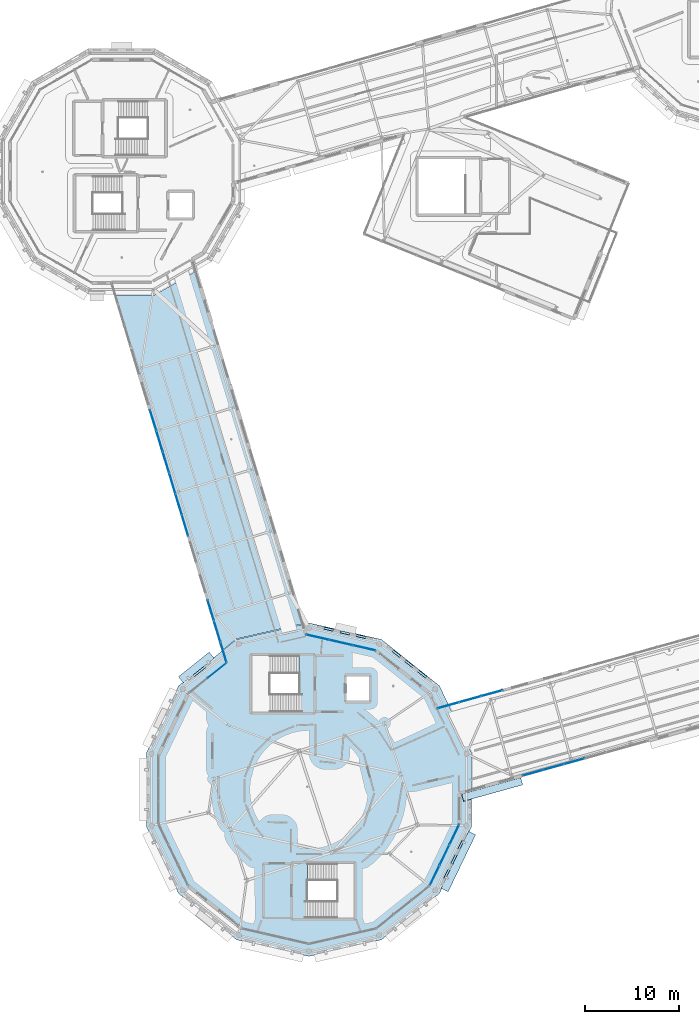
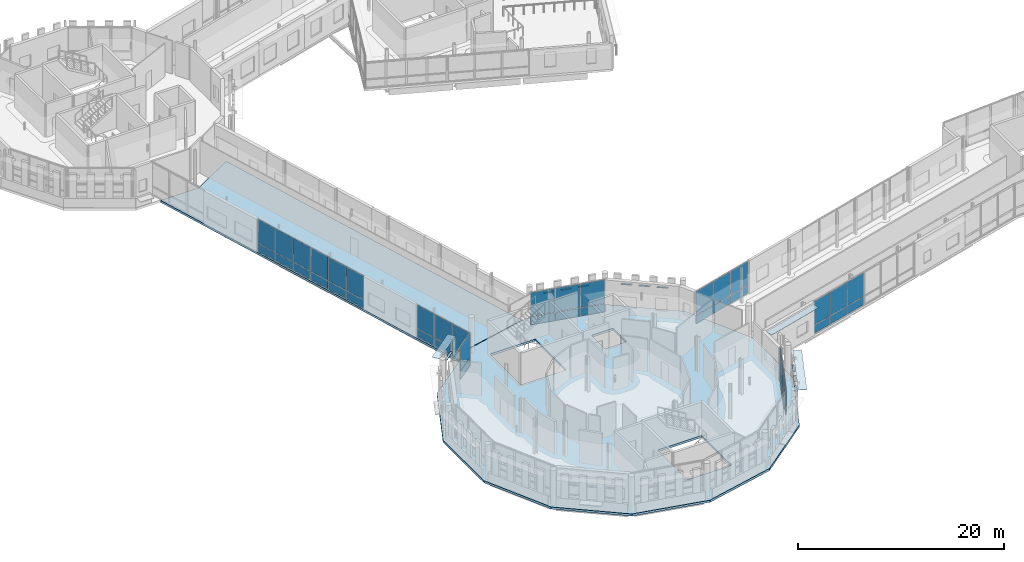
# One storey, part 71 of 125: 56 plates, 2 slabs, 8 elements without a shape of their own.
"""IFC4 building model written with IfcOpenShell, lengths in metres."""

from ifc_helpers import new_model, si_unit, direction, frame, origin, origin_2d, place, context, subcontext, project, spatial, polyline, rectangle, outline, extrude, material, layer, layer_set, type_object, element, aggregate, save


model = new_model("IFC4")

# Units and contexts
model_context = context("Model", 3, precision=1e-05, world=origin(), true_north=direction((0.0, 1.0)))
body_context = subcontext(model_context, "Body", "Model", "MODEL_VIEW")
ifc_project = project(units=[si_unit("LENGTHUNIT", "METRE"), si_unit("AREAUNIT", "SQUARE_METRE"), si_unit("VOLUMEUNIT", "CUBIC_METRE"), si_unit("PLANEANGLEUNIT", "RADIAN"), si_unit("MASSUNIT", "GRAM", prefix="KILO")], contexts=[model_context])

# Site, building, storey
site_placement = place(None, origin())
site = spatial("IfcSite", under=ifc_project, at=site_placement, CompositionType="ELEMENT")
building_placement = place(site_placement, origin())
building = spatial("IfcBuilding", under=site, at=building_placement, Name="Wrenclough Park School", CompositionType="ELEMENT")
storey_placement = place(building_placement, frame((0.0, 0.0, 4.199951171875)))
storey = spatial("IfcBuildingStorey", under=building, at=storey_placement, Name="L01", CompositionType="ELEMENT", Elevation=4.199951171875)

# Curtain wall, plates
ifc_material_1 = material(Name="Thermally broken aluminium and low-e glass curtain wall", Category="aluminium")
curtain_wall_type_1 = type_object("IfcCurtainWallType", Name="ENV-CW-09", PredefinedType="USERDEFINED", material=ifc_material_1)
curtain_wall_1_placement = place(storey_placement, origin())
curtain_wall_1 = element("IfcCurtainWall", 1, at=curtain_wall_1_placement, inside=storey, type_object=curtain_wall_type_1, Name="L01 recessed curtain wall assembly 088", ObjectType="CURTAIN WALL", PredefinedType="USERDEFINED")
ifc_material_2 = material(Name="Double-glazed solar-control low-e glass", Category="glass")
ifc_layer_1 = layer(ifc_material_2, 0.02587890625)
ifc_layer_set_1 = layer_set([ifc_layer_1], Name="Double-glazed solar-control low-e glass")
plate_type_1 = type_object("IfcPlateType", Name="ENV-CWP-GL26", PredefinedType="CURTAIN_PANEL", material=ifc_layer_set_1)
plate_1_placement = place(storey_placement, frame((26.6767578125, 36.212646484375, 0.06494140625), z_axis=(0.0, 0.0, 1.0), x_axis=(0.781848493934, 0.623468469558, 0.0)))
plate_1 = element("IfcPlate", 2, at=plate_1_placement, type_object=plate_type_1, Name="CW-09 panel 2.1", PredefinedType="CURTAIN_PANEL", context=body_context, shape_type="SweptSolid", body=[
    extrude(rectangle(XDim=2.51904296875, YDim=0.02587890625, at=origin_2d()), origin(), (0.0, 0.0, 1.0), 0.952392578125),
])
plate_2_placement = place(storey_placement, frame((26.6767578125, 36.212646484375, 1.08251953125), z_axis=(0.0, 0.0, 1.0), x_axis=(0.781848493934, 0.623468469558, 0.0)))
plate_2 = element("IfcPlate", 3, at=plate_2_placement, type_object=plate_type_1, Name="CW-09 panel 2.2", PredefinedType="CURTAIN_PANEL", context=body_context, shape_type="SweptSolid", body=[
    extrude(rectangle(XDim=2.51904296875, YDim=0.02587890625, at=origin_2d()), origin(), (0.0, 0.0, 1.0), 2.79248046875),
])
aggregate(curtain_wall_1, [plate_1, plate_2])

curtain_wall_type_2 = type_object("IfcCurtainWallType", Name="ENV-CW-10", PredefinedType="USERDEFINED", material=ifc_material_1)
curtain_wall_2_placement = place(storey_placement, origin())
curtain_wall_2 = element("IfcCurtainWall", 4, at=curtain_wall_2_placement, inside=storey, type_object=curtain_wall_type_2, Name="L01 recessed curtain wall assembly 089", ObjectType="CURTAIN WALL", PredefinedType="USERDEFINED")
ifc_material_3 = material(Name="Double-glazed acoustic low-e glass", Category="glass")
ifc_layer_2 = layer(ifc_material_3, 0.030029296875)
ifc_layer_set_2 = layer_set([ifc_layer_2], Name="Double-glazed acoustic low-e glass")
plate_type_2 = type_object("IfcPlateType", Name="ENV-CWP-GL30", PredefinedType="CURTAIN_PANEL", material=ifc_layer_set_2)
plate_3_placement = place(storey_placement, frame((27.3681640625, 38.186767578125, 0.06982421875), z_axis=(0.0, 0.0, 1.0), x_axis=(-0.289988117032, 0.957030246116, 0.0)))
plate_3 = element("IfcPlate", 5, at=plate_3_placement, type_object=plate_type_2, Name="CW-10 panel 1.1", PredefinedType="CURTAIN_PANEL", context=body_context, shape_type="SweptSolid", body=[
    extrude(rectangle(XDim=2.24658203125, YDim=0.030029296875, at=origin_2d()), origin(), (0.0, 0.0, 1.0), 0.945068359375),
])
plate_4_placement = place(storey_placement, frame((27.3681640625, 38.186767578125, 1.0849609375), z_axis=(0.0, 0.0, 1.0), x_axis=(-0.289988117032, 0.957030246116, 0.0)))
plate_4 = element("IfcPlate", 6, at=plate_4_placement, type_object=plate_type_2, Name="CW-10 panel 1.2", PredefinedType="CURTAIN_PANEL", context=body_context, shape_type="SweptSolid", body=[
    extrude(rectangle(XDim=2.24658203125, YDim=0.030029296875, at=origin_2d()), origin(), (0.0, 0.0, 1.0), 2.784912109375),
])
plate_5_placement = place(storey_placement, frame((26.69140625, 40.42041015625, 0.06982421875), z_axis=(0.0, 0.0, 1.0), x_axis=(-0.289988117032, 0.957030246116, 0.0)))
plate_5 = element("IfcPlate", 7, at=plate_5_placement, type_object=plate_type_2, Name="CW-10 panel 2.1", PredefinedType="CURTAIN_PANEL", context=body_context, shape_type="SweptSolid", body=[
    extrude(rectangle(XDim=2.281494140625, YDim=0.030029296875, at=origin_2d()), origin(), (0.0, 0.0, 1.0), 0.945068359375),
])
plate_6_placement = place(storey_placement, frame((26.69140625, 40.42041015625, 1.0849609375), z_axis=(0.0, 0.0, 1.0), x_axis=(-0.289988117032, 0.957030246116, 0.0)))
plate_6 = element("IfcPlate", 8, at=plate_6_placement, type_object=plate_type_2, Name="CW-10 panel 2.2", PredefinedType="CURTAIN_PANEL", context=body_context, shape_type="SweptSolid", body=[
    extrude(rectangle(XDim=2.281494140625, YDim=0.030029296875, at=origin_2d()), origin(), (0.0, 0.0, 1.0), 2.784912109375),
])
plate_7_placement = place(storey_placement, frame((26.0146484375, 42.654052734375, 0.06982421875), z_axis=(0.0, 0.0, 1.0), x_axis=(-0.289988117032, 0.957030246116, 0.0)))
plate_7 = element("IfcPlate", 9, at=plate_7_placement, type_object=plate_type_2, Name="CW-10 panel 3.1", PredefinedType="CURTAIN_PANEL", context=body_context, shape_type="SweptSolid", body=[
    extrude(rectangle(XDim=2.24658203125, YDim=0.030029296875, at=origin_2d()), origin(), (0.0, 0.0, 1.0), 0.945068359375),
])
plate_8_placement = place(storey_placement, frame((26.0146484375, 42.654052734375, 1.0849609375), z_axis=(0.0, 0.0, 1.0), x_axis=(-0.289988117032, 0.957030246116, 0.0)))
plate_8 = element("IfcPlate", 10, at=plate_8_placement, type_object=plate_type_2, Name="CW-10 panel 3.2", PredefinedType="CURTAIN_PANEL", context=body_context, shape_type="SweptSolid", body=[
    extrude(rectangle(XDim=2.24658203125, YDim=0.030029296875, at=origin_2d()), origin(), (0.0, 0.0, 1.0), 2.784912109375),
])
aggregate(curtain_wall_2, [plate_3, plate_4, plate_5, plate_6, plate_7, plate_8])

curtain_wall_type_3 = type_object("IfcCurtainWallType", Name="ENV-CW-11", PredefinedType="USERDEFINED", material=ifc_material_1)
curtain_wall_3_placement = place(storey_placement, origin())
curtain_wall_3 = element("IfcCurtainWall", 11, at=curtain_wall_3_placement, inside=storey, type_object=curtain_wall_type_3, Name="L01 recessed curtain wall assembly 090", ObjectType="CURTAIN WALL", PredefinedType="USERDEFINED")
ifc_material_4 = material(Name="Triple-glazed senior-lab low-e glass", Category="glass")
ifc_layer_3 = layer(ifc_material_4, 0.033935546875)
ifc_layer_set_3 = layer_set([ifc_layer_3], Name="Triple-glazed senior-lab low-e glass")
plate_type_3 = type_object("IfcPlateType", Name="ENV-CWP-GL34", PredefinedType="CURTAIN_PANEL", material=ifc_layer_set_3)
plate_9_placement = place(storey_placement, frame((23.272705078125, 51.7021484375, 0.06005859375), z_axis=(0.0, 0.0, 1.0), x_axis=(-0.289992051165, 0.957029054032, 0.0)))
plate_9 = element("IfcPlate", 12, at=plate_9_placement, type_object=plate_type_3, Name="CW-11 panel 1.1", PredefinedType="CURTAIN_PANEL", context=body_context, shape_type="SweptSolid", body=[
    extrude(rectangle(XDim=2.261474609375, YDim=0.033935546875, at=origin_2d()), origin(), (0.0, 0.0, 1.0), 0.9599609375),
])
plate_10_placement = place(storey_placement, frame((23.272705078125, 51.7021484375, 1.080078125), z_axis=(0.0, 0.0, 1.0), x_axis=(-0.289992051165, 0.957029054032, 0.0)))
plate_10 = element("IfcPlate", 13, at=plate_10_placement, type_object=plate_type_3, Name="CW-11 panel 1.2", PredefinedType="CURTAIN_PANEL", context=body_context, shape_type="SweptSolid", body=[
    extrude(rectangle(XDim=2.261474609375, YDim=0.033935546875, at=origin_2d()), origin(), (0.0, 0.0, 1.0), 2.800048828125),
])
plate_11_placement = place(storey_placement, frame((22.59521484375, 53.93798828125, 0.06005859375), z_axis=(0.0, 0.0, 1.0), x_axis=(-0.289992051165, 0.957029054032, 0.0)))
plate_11 = element("IfcPlate", 14, at=plate_11_placement, type_object=plate_type_3, Name="CW-11 panel 2.1", PredefinedType="CURTAIN_PANEL", context=body_context, shape_type="SweptSolid", body=[
    extrude(rectangle(XDim=2.29150390625, YDim=0.033935546875, at=origin_2d()), origin(), (0.0, 0.0, 1.0), 0.9599609375),
])
plate_12_placement = place(storey_placement, frame((22.59521484375, 53.93798828125, 1.080078125), z_axis=(0.0, 0.0, 1.0), x_axis=(-0.289992051165, 0.957029054032, 0.0)))
plate_12 = element("IfcPlate", 15, at=plate_12_placement, type_object=plate_type_3, Name="CW-11 panel 2.2", PredefinedType="CURTAIN_PANEL", context=body_context, shape_type="SweptSolid", body=[
    extrude(rectangle(XDim=2.29150390625, YDim=0.033935546875, at=origin_2d()), origin(), (0.0, 0.0, 1.0), 2.800048828125),
])
plate_13_placement = place(storey_placement, frame((21.91748046875, 56.174072265625, 0.06005859375), z_axis=(0.0, 0.0, 1.0), x_axis=(-0.289992051165, 0.957029054032, 0.0)))
plate_13 = element("IfcPlate", 16, at=plate_13_placement, type_object=plate_type_3, Name="CW-11 panel 3.1", PredefinedType="CURTAIN_PANEL", context=body_context, shape_type="SweptSolid", body=[
    extrude(rectangle(XDim=2.261474609375, YDim=0.033935546875, at=origin_2d()), origin(), (0.0, 0.0, 1.0), 0.9599609375),
])
plate_14_placement = place(storey_placement, frame((21.91748046875, 56.174072265625, 1.080078125), z_axis=(0.0, 0.0, 1.0), x_axis=(-0.289992051165, 0.957029054032, 0.0)))
plate_14 = element("IfcPlate", 17, at=plate_14_placement, type_object=plate_type_3, Name="CW-11 panel 3.2", PredefinedType="CURTAIN_PANEL", context=body_context, shape_type="SweptSolid", body=[
    extrude(rectangle(XDim=2.261474609375, YDim=0.033935546875, at=origin_2d()), origin(), (0.0, 0.0, 1.0), 2.800048828125),
])
aggregate(curtain_wall_3, [plate_9, plate_10, plate_11, plate_12, plate_13, plate_14])

curtain_wall_4_placement = place(storey_placement, origin())
curtain_wall_4 = element("IfcCurtainWall", 18, at=curtain_wall_4_placement, inside=storey, type_object=curtain_wall_type_3, Name="L01 recessed curtain wall assembly 138", ObjectType="CURTAIN WALL", PredefinedType="USERDEFINED")
plate_15_placement = place(storey_placement, frame((64.822021484375, 26.523193359375, 0.06005859375), z_axis=(0.0, 0.0, 1.0), x_axis=(-0.963399766486, -0.268068815671, 0.0)))
plate_15 = element("IfcPlate", 19, at=plate_15_placement, type_object=plate_type_3, Name="CW-11 panel 1.1", PredefinedType="CURTAIN_PANEL", context=body_context, shape_type="SweptSolid", body=[
    extrude(rectangle(XDim=2.223876953125, YDim=0.033935546875, at=origin_2d()), origin(), (0.0, 0.0, 1.0), 0.9599609375),
])
plate_16_placement = place(storey_placement, frame((64.822021484375, 26.523193359375, 1.080078125), z_axis=(0.0, 0.0, 1.0), x_axis=(-0.963399766486, -0.268068815671, 0.0)))
plate_16 = element("IfcPlate", 20, at=plate_16_placement, type_object=plate_type_3, Name="CW-11 panel 1.2", PredefinedType="CURTAIN_PANEL", context=body_context, shape_type="SweptSolid", body=[
    extrude(rectangle(XDim=2.223876953125, YDim=0.033935546875, at=origin_2d()), origin(), (0.0, 0.0, 1.0), 2.800048828125),
])
plate_17_placement = place(storey_placement, frame((62.607177734375, 25.90673828125, 0.06005859375), z_axis=(0.0, 0.0, 1.0), x_axis=(-0.963399766486, -0.268068815671, 0.0)))
plate_17 = element("IfcPlate", 21, at=plate_17_placement, type_object=plate_type_3, Name="CW-11 panel 2.1", PredefinedType="CURTAIN_PANEL", context=body_context, shape_type="SweptSolid", body=[
    extrude(rectangle(XDim=2.25390625, YDim=0.033935546875, at=origin_2d()), origin(), (0.0, 0.0, 1.0), 0.9599609375),
])
plate_18_placement = place(storey_placement, frame((62.607177734375, 25.90673828125, 1.080078125), z_axis=(0.0, 0.0, 1.0), x_axis=(-0.963399766486, -0.268068815671, 0.0)))
plate_18 = element("IfcPlate", 22, at=plate_18_placement, type_object=plate_type_3, Name="CW-11 panel 2.2", PredefinedType="CURTAIN_PANEL", context=body_context, shape_type="SweptSolid", body=[
    extrude(rectangle(XDim=2.25390625, YDim=0.033935546875, at=origin_2d()), origin(), (0.0, 0.0, 1.0), 2.800048828125),
])
plate_19_placement = place(storey_placement, frame((60.392333984375, 25.29052734375, 0.06005859375), z_axis=(0.0, 0.0, 1.0), x_axis=(-0.963399766486, -0.268068815671, 0.0)))
plate_19 = element("IfcPlate", 23, at=plate_19_placement, type_object=plate_type_3, Name="CW-11 panel 3.1", PredefinedType="CURTAIN_PANEL", context=body_context, shape_type="SweptSolid", body=[
    extrude(rectangle(XDim=2.223876953125, YDim=0.033935546875, at=origin_2d()), origin(), (0.0, 0.0, 1.0), 0.9599609375),
])
plate_20_placement = place(storey_placement, frame((60.392333984375, 25.29052734375, 1.080078125), z_axis=(0.0, 0.0, 1.0), x_axis=(-0.963399766486, -0.268068815671, 0.0)))
plate_20 = element("IfcPlate", 24, at=plate_20_placement, type_object=plate_type_3, Name="CW-11 panel 3.2", PredefinedType="CURTAIN_PANEL", context=body_context, shape_type="SweptSolid", body=[
    extrude(rectangle(XDim=2.223876953125, YDim=0.033935546875, at=origin_2d()), origin(), (0.0, 0.0, 1.0), 2.800048828125),
])
aggregate(curtain_wall_4, [plate_15, plate_16, plate_17, plate_18, plate_19, plate_20])

curtain_wall_type_4 = type_object("IfcCurtainWallType", Name="ENV-CW-12", PredefinedType="USERDEFINED", material=ifc_material_1)
curtain_wall_5_placement = place(storey_placement, origin())
curtain_wall_5 = element("IfcCurtainWall", 25, at=curtain_wall_5_placement, inside=storey, type_object=curtain_wall_type_4, Name="L01 recessed curtain wall assembly 091", ObjectType="CURTAIN WALL", PredefinedType="USERDEFINED")
ifc_material_5 = material(Name="Laminated sports-concourse safety glass", Category="glass")
ifc_layer_4 = layer(ifc_material_5, 0.0380859375)
ifc_layer_set_4 = layer_set([ifc_layer_4], Name="Laminated sports-concourse safety glass")
plate_type_4 = type_object("IfcPlateType", Name="ENV-CWP-GL38", PredefinedType="CURTAIN_PANEL", material=ifc_layer_set_4)
plate_21_placement = place(storey_placement, frame((21.22412109375, 58.462158203125, 0.06494140625), z_axis=(0.0, 0.0, 1.0), x_axis=(-0.289988117032, 0.957030246116, 0.0)))
plate_21 = element("IfcPlate", 26, at=plate_21_placement, type_object=plate_type_4, Name="CW-12 panel 1.1", PredefinedType="CURTAIN_PANEL", context=body_context, shape_type="SweptSolid", body=[
    extrude(rectangle(XDim=2.25390625, YDim=0.0380859375, at=origin_2d()), origin(), (0.0, 0.0, 1.0), 0.952392578125),
])
plate_22_placement = place(storey_placement, frame((21.22412109375, 58.462158203125, 1.08251953125), z_axis=(0.0, 0.0, 1.0), x_axis=(-0.289988117032, 0.957030246116, 0.0)))
plate_22 = element("IfcPlate", 27, at=plate_22_placement, type_object=plate_type_4, Name="CW-12 panel 1.2", PredefinedType="CURTAIN_PANEL", context=body_context, shape_type="SweptSolid", body=[
    extrude(rectangle(XDim=2.25390625, YDim=0.0380859375, at=origin_2d()), origin(), (0.0, 0.0, 1.0), 2.79248046875),
])
plate_23_placement = place(storey_placement, frame((20.547119140625, 60.697021484375, 0.06494140625), z_axis=(0.0, 0.0, 1.0), x_axis=(-0.289988117032, 0.957030246116, 0.0)))
plate_23 = element("IfcPlate", 28, at=plate_23_placement, type_object=plate_type_4, Name="CW-12 panel 2.1", PredefinedType="CURTAIN_PANEL", context=body_context, shape_type="SweptSolid", body=[
    extrude(rectangle(XDim=2.286376953125, YDim=0.0380859375, at=origin_2d()), origin(), (0.0, 0.0, 1.0), 0.952392578125),
])
plate_24_placement = place(storey_placement, frame((20.547119140625, 60.697021484375, 1.08251953125), z_axis=(0.0, 0.0, 1.0), x_axis=(-0.289988117032, 0.957030246116, 0.0)))
plate_24 = element("IfcPlate", 29, at=plate_24_placement, type_object=plate_type_4, Name="CW-12 panel 2.2", PredefinedType="CURTAIN_PANEL", context=body_context, shape_type="SweptSolid", body=[
    extrude(rectangle(XDim=2.286376953125, YDim=0.0380859375, at=origin_2d()), origin(), (0.0, 0.0, 1.0), 2.79248046875),
])
plate_25_placement = place(storey_placement, frame((19.869873046875, 62.931884765625, 0.06494140625), z_axis=(0.0, 0.0, 1.0), x_axis=(-0.289988117032, 0.957030246116, 0.0)))
plate_25 = element("IfcPlate", 30, at=plate_25_placement, type_object=plate_type_4, Name="CW-12 panel 3.1", PredefinedType="CURTAIN_PANEL", context=body_context, shape_type="SweptSolid", body=[
    extrude(rectangle(XDim=2.25390625, YDim=0.0380859375, at=origin_2d()), origin(), (0.0, 0.0, 1.0), 0.952392578125),
])
plate_26_placement = place(storey_placement, frame((19.869873046875, 62.931884765625, 1.08251953125), z_axis=(0.0, 0.0, 1.0), x_axis=(-0.289988117032, 0.957030246116, 0.0)))
plate_26 = element("IfcPlate", 31, at=plate_26_placement, type_object=plate_type_4, Name="CW-12 panel 3.2", PredefinedType="CURTAIN_PANEL", context=body_context, shape_type="SweptSolid", body=[
    extrude(rectangle(XDim=2.25390625, YDim=0.0380859375, at=origin_2d()), origin(), (0.0, 0.0, 1.0), 2.79248046875),
])
aggregate(curtain_wall_5, [plate_21, plate_22, plate_23, plate_24, plate_25, plate_26])

curtain_wall_6_placement = place(storey_placement, origin())
curtain_wall_6 = element("IfcCurtainWall", 32, at=curtain_wall_6_placement, inside=storey, type_object=curtain_wall_type_4, Name="L01 recessed curtain wall assembly 139", ObjectType="CURTAIN WALL", PredefinedType="USERDEFINED")
plate_27_placement = place(storey_placement, frame((52.025390625, 18.71533203125, 0.06494140625), z_axis=(0.0, 0.0, 1.0), x_axis=(-0.433894837004, -0.900963523358, 0.0)))
plate_27 = element("IfcPlate", 33, at=plate_27_placement, type_object=plate_type_4, Name="CW-12 panel 1.1", PredefinedType="CURTAIN_PANEL", context=body_context, shape_type="SweptSolid", body=[
    extrude(rectangle(XDim=2.34423828125, YDim=0.0380859375, at=origin_2d()), origin(), (0.0, 0.0, 1.0), 0.952392578125),
])
plate_28_placement = place(storey_placement, frame((52.025390625, 18.71533203125, 1.08251953125), z_axis=(0.0, 0.0, 1.0), x_axis=(-0.433894837004, -0.900963523358, 0.0)))
plate_28 = element("IfcPlate", 34, at=plate_28_placement, type_object=plate_type_4, Name="CW-12 panel 1.2", PredefinedType="CURTAIN_PANEL", context=body_context, shape_type="SweptSolid", body=[
    extrude(rectangle(XDim=2.34423828125, YDim=0.0380859375, at=origin_2d()), origin(), (0.0, 0.0, 1.0), 2.79248046875),
])
plate_29_placement = place(storey_placement, frame((50.972900390625, 16.530029296875, 0.06494140625), z_axis=(0.0, 0.0, 1.0), x_axis=(-0.433894837004, -0.900963523358, 0.0)))
plate_29 = element("IfcPlate", 35, at=plate_29_placement, type_object=plate_type_4, Name="CW-12 panel 2.1", PredefinedType="CURTAIN_PANEL", context=body_context, shape_type="SweptSolid", body=[
    extrude(rectangle(XDim=2.376708984375, YDim=0.0380859375, at=origin_2d()), origin(), (0.0, 0.0, 1.0), 0.952392578125),
])
plate_30_placement = place(storey_placement, frame((50.972900390625, 16.530029296875, 1.08251953125), z_axis=(0.0, 0.0, 1.0), x_axis=(-0.433894837004, -0.900963523358, 0.0)))
plate_30 = element("IfcPlate", 36, at=plate_30_placement, type_object=plate_type_4, Name="CW-12 panel 2.2", PredefinedType="CURTAIN_PANEL", context=body_context, shape_type="SweptSolid", body=[
    extrude(rectangle(XDim=2.376708984375, YDim=0.0380859375, at=origin_2d()), origin(), (0.0, 0.0, 1.0), 2.79248046875),
])
plate_31_placement = place(storey_placement, frame((49.920654296875, 14.344970703125, 1.08251953125), z_axis=(0.0, 0.0, 1.0), x_axis=(-0.433894837004, -0.900963523358, 0.0)))
plate_31 = element("IfcPlate", 37, at=plate_31_placement, type_object=plate_type_4, Name="CW-12 panel 3.2", PredefinedType="CURTAIN_PANEL", context=body_context, shape_type="SweptSolid", body=[
    extrude(rectangle(XDim=2.34423828125, YDim=0.0380859375, at=origin_2d()), origin(), (0.0, 0.0, 1.0), 2.79248046875),
])
aggregate(curtain_wall_6, [plate_27, plate_28, plate_29, plate_30, plate_31])

curtain_wall_type_5 = type_object("IfcCurtainWallType", Name="ENV-CW-14", PredefinedType="USERDEFINED", material=ifc_material_1)
curtain_wall_7_placement = place(storey_placement, origin())
curtain_wall_7 = element("IfcCurtainWall", 38, at=curtain_wall_7_placement, inside=storey, type_object=curtain_wall_type_5, Name="L01 recessed curtain wall assembly 141", ObjectType="CURTAIN WALL", PredefinedType="USERDEFINED")
ifc_material_6 = material(Name="Insulated anodised aluminium spandrel panel", Category="aluminium")
ifc_layer_5 = layer(ifc_material_6, 0.0419921875)
ifc_layer_set_5 = layer_set([ifc_layer_5], Name="Insulated anodised aluminium spandrel panel")
plate_type_5 = type_object("IfcPlateType", Name="ENV-CWP-SP42", PredefinedType="CURTAIN_PANEL", material=ifc_layer_set_5)
plate_32_placement = place(storey_placement, frame((37.4296875, 39.7646484375, 0.06005859375), z_axis=(0.0, 0.0, 1.0), x_axis=(0.97492902994, -0.222516036679, 0.0)))
plate_32 = element("IfcPlate", 39, at=plate_32_placement, type_object=plate_type_5, Name="CW-14 panel 1.1", PredefinedType="CURTAIN_PANEL", context=body_context, shape_type="SweptSolid", body=[
    extrude(rectangle(XDim=2.46630859375, YDim=0.0419921875, at=origin_2d()), origin(), (0.0, 0.0, 1.0), 0.9599609375),
])
plate_33_placement = place(storey_placement, frame((37.4296875, 39.7646484375, 1.080078125), z_axis=(0.0, 0.0, 1.0), x_axis=(0.97492902994, -0.222516036679, 0.0)))
plate_33 = element("IfcPlate", 40, at=plate_33_placement, type_object=plate_type_5, Name="CW-14 panel 1.2", PredefinedType="CURTAIN_PANEL", context=body_context, shape_type="SweptSolid", body=[
    extrude(rectangle(XDim=2.46630859375, YDim=0.0419921875, at=origin_2d()), origin(), (0.0, 0.0, 1.0), 2.800048828125),
])
plate_34_placement = place(storey_placement, frame((39.906982421875, 39.19921875, 0.06005859375), z_axis=(0.0, 0.0, 1.0), x_axis=(0.97492902994, -0.222516036679, 0.0)))
plate_34 = element("IfcPlate", 41, at=plate_34_placement, type_object=plate_type_5, Name="CW-14 panel 2.1", PredefinedType="CURTAIN_PANEL", context=body_context, shape_type="SweptSolid", body=[
    extrude(rectangle(XDim=2.496337890625, YDim=0.0419921875, at=origin_2d()), origin(), (0.0, 0.0, 1.0), 0.9599609375),
])
plate_35_placement = place(storey_placement, frame((39.906982421875, 39.19921875, 1.080078125), z_axis=(0.0, 0.0, 1.0), x_axis=(0.97492902994, -0.222516036679, 0.0)))
plate_35 = element("IfcPlate", 42, at=plate_35_placement, type_object=plate_type_5, Name="CW-14 panel 2.2", PredefinedType="CURTAIN_PANEL", context=body_context, shape_type="SweptSolid", body=[
    extrude(rectangle(XDim=2.496337890625, YDim=0.0419921875, at=origin_2d()), origin(), (0.0, 0.0, 1.0), 2.800048828125),
])
plate_36_placement = place(storey_placement, frame((42.384521484375, 38.6337890625, 0.06005859375), z_axis=(0.0, 0.0, 1.0), x_axis=(0.97492902994, -0.222516036679, 0.0)))
plate_36 = element("IfcPlate", 43, at=plate_36_placement, type_object=plate_type_5, Name="CW-14 panel 3.1", PredefinedType="CURTAIN_PANEL", context=body_context, shape_type="SweptSolid", body=[
    extrude(rectangle(XDim=2.46630859375, YDim=0.0419921875, at=origin_2d()), origin(), (0.0, 0.0, 1.0), 0.9599609375),
])
plate_37_placement = place(storey_placement, frame((42.384521484375, 38.6337890625, 1.080078125), z_axis=(0.0, 0.0, 1.0), x_axis=(0.97492902994, -0.222516036679, 0.0)))
plate_37 = element("IfcPlate", 44, at=plate_37_placement, type_object=plate_type_5, Name="CW-14 panel 3.2", PredefinedType="CURTAIN_PANEL", context=body_context, shape_type="SweptSolid", body=[
    extrude(rectangle(XDim=2.46630859375, YDim=0.0419921875, at=origin_2d()), origin(), (0.0, 0.0, 1.0), 2.800048828125),
])
aggregate(curtain_wall_7, [plate_32, plate_33, plate_34, plate_35, plate_36, plate_37])

curtain_wall_type_6 = type_object("IfcCurtainWallType", Name="ENV-CW-15", PredefinedType="USERDEFINED", material=ifc_material_1)
curtain_wall_8_placement = place(storey_placement, origin())
curtain_wall_8 = element("IfcCurtainWall", 45, at=curtain_wall_8_placement, inside=storey, type_object=curtain_wall_type_6, Name="L01 recessed curtain wall assembly 142", ObjectType="CURTAIN WALL", PredefinedType="USERDEFINED")
ifc_material_7 = material(Name="Insulated patinated copper-toned spandrel panel", Category="aluminium")
ifc_layer_6 = layer(ifc_material_7, 0.048095703125)
ifc_layer_set_6 = layer_set([ifc_layer_6], Name="Insulated patinated copper-toned spandrel panel")
plate_type_6 = type_object("IfcPlateType", Name="ENV-CWP-SP48", PredefinedType="CURTAIN_PANEL", material=ifc_layer_set_6)
plate_38_placement = place(storey_placement, frame((51.356201171875, 32.49169921875, 0.06494140625), z_axis=(0.0, 0.0, 1.0), x_axis=(0.963398773592, 0.268072383958, 0.0)))
plate_38 = element("IfcPlate", 46, at=plate_38_placement, type_object=plate_type_6, Name="CW-15 panel 1.1", PredefinedType="CURTAIN_PANEL", context=body_context, shape_type="SweptSolid", body=[
    extrude(rectangle(XDim=2.345703125, YDim=0.048095703125, at=origin_2d()), origin(), (0.0, 0.0, 1.0), 0.952392578125),
])
plate_39_placement = place(storey_placement, frame((51.356201171875, 32.49169921875, 1.08251953125), z_axis=(0.0, 0.0, 1.0), x_axis=(0.963398773592, 0.268072383958, 0.0)))
plate_39 = element("IfcPlate", 47, at=plate_39_placement, type_object=plate_type_6, Name="CW-15 panel 1.2", PredefinedType="CURTAIN_PANEL", context=body_context, shape_type="SweptSolid", body=[
    extrude(rectangle(XDim=2.345703125, YDim=0.048095703125, at=origin_2d()), origin(), (0.0, 0.0, 1.0), 2.79248046875),
])
plate_40_placement = place(storey_placement, frame((53.694091796875, 33.14208984375, 0.06494140625), z_axis=(0.0, 0.0, 1.0), x_axis=(0.963398773592, 0.268072383958, 0.0)))
plate_40 = element("IfcPlate", 48, at=plate_40_placement, type_object=plate_type_6, Name="CW-15 panel 2.1", PredefinedType="CURTAIN_PANEL", context=body_context, shape_type="SweptSolid", body=[
    extrude(rectangle(XDim=2.378173828125, YDim=0.048095703125, at=origin_2d()), origin(), (0.0, 0.0, 1.0), 0.952392578125),
])
plate_41_placement = place(storey_placement, frame((53.694091796875, 33.14208984375, 1.08251953125), z_axis=(0.0, 0.0, 1.0), x_axis=(0.963398773592, 0.268072383958, 0.0)))
plate_41 = element("IfcPlate", 49, at=plate_41_placement, type_object=plate_type_6, Name="CW-15 panel 2.2", PredefinedType="CURTAIN_PANEL", context=body_context, shape_type="SweptSolid", body=[
    extrude(rectangle(XDim=2.378173828125, YDim=0.048095703125, at=origin_2d()), origin(), (0.0, 0.0, 1.0), 2.79248046875),
])
plate_42_placement = place(storey_placement, frame((56.0322265625, 33.792724609375, 0.06494140625), z_axis=(0.0, 0.0, 1.0), x_axis=(0.963398773592, 0.268072383958, 0.0)))
plate_42 = element("IfcPlate", 50, at=plate_42_placement, type_object=plate_type_6, Name="CW-15 panel 3.1", PredefinedType="CURTAIN_PANEL", context=body_context, shape_type="SweptSolid", body=[
    extrude(rectangle(XDim=2.345703125, YDim=0.048095703125, at=origin_2d()), origin(), (0.0, 0.0, 1.0), 0.952392578125),
])
plate_43_placement = place(storey_placement, frame((56.0322265625, 33.792724609375, 1.08251953125), z_axis=(0.0, 0.0, 1.0), x_axis=(0.963398773592, 0.268072383958, 0.0)))
plate_43 = element("IfcPlate", 51, at=plate_43_placement, type_object=plate_type_6, Name="CW-15 panel 3.2", PredefinedType="CURTAIN_PANEL", context=body_context, shape_type="SweptSolid", body=[
    extrude(rectangle(XDim=2.345703125, YDim=0.048095703125, at=origin_2d()), origin(), (0.0, 0.0, 1.0), 2.79248046875),
])
aggregate(curtain_wall_8, [plate_38, plate_39, plate_40, plate_41, plate_42, plate_43])

# Plates
ifc_material_8 = material(Name="Anodised architectural aluminium solar shading fin plate", Category="aluminium")
ifc_layer_7 = layer(ifc_material_8, 0.0380859375)
ifc_layer_set_7 = layer_set([ifc_layer_7], Name="Anodised architectural aluminium solar shading fin plate")
plate_type_7 = type_object("IfcPlateType", Name="ENV-PL-BSF", PredefinedType="SHEET", material=ifc_layer_set_7)
for number, where, z_axis, x_axis, name in (
    (52, (48.585205078125, 35.828369140625, 2.72216796875), (0.0, 0.0, 1.0), (-0.781825784379, 0.623496946969, 0.0), "D2 L01 open-bond brick screen tie band 0173"),
    (53, (47.207763671875, 36.927001953125, 2.72216796875), (0.0, 0.0, 1.0), (-0.781825784379, 0.623496946969, 0.0), "D2 L01 open-bond brick screen tie band 0174"),
    (54, (45.830078125, 38.025634765625, 2.72216796875), (0.0, 0.0, 1.0), (-0.781825784379, 0.623496946969, 0.0), "D2 L01 open-bond brick screen tie band 0175"),
):
    element("IfcPlate", number, at=place(storey_placement, frame(where, z_axis=z_axis, x_axis=x_axis)), inside=storey, type_object=plate_type_7, Name=name, PredefinedType="SHEET", context=body_context, shape_type="SweptSolid", body=[
        extrude(rectangle(XDim=1.072021484375, YDim=0.219970703125, at=origin_2d()), origin(), (0.0, 0.0, 1.0), 0.0419921875),
    ])
for number, where, z_axis, x_axis, name in (
    (55, (42.038818359375, 39.851318359375, 2.72216796875), (0.0, 0.0, 1.0), (-0.974926809846, 0.222525763552, 0.0), "D2 L01 open-bond brick screen tie band 0176"),
    (56, (40.3212890625, 40.2431640625, 2.72216796875), (0.0, 0.0, 1.0), (-0.974926809846, 0.222525763552, 0.0), "D2 L01 open-bond brick screen tie band 0177"),
    (57, (38.603759765625, 40.63525390625, 2.72216796875), (0.0, 0.0, 1.0), (-0.974926809846, 0.222525763552, 0.0), "D2 L01 open-bond brick screen tie band 0178"),
):
    element("IfcPlate", number, at=place(storey_placement, frame(where, z_axis=z_axis, x_axis=x_axis)), inside=storey, type_object=plate_type_7, Name=name, PredefinedType="SHEET", context=body_context, shape_type="SweptSolid", body=[
        extrude(rectangle(XDim=1.071533203125, YDim=0.219970703125, at=origin_2d()), origin(), (0.0, 0.0, 1.0), 0.0419921875),
    ])
plate_44_placement = place(storey_placement, frame((24.794921875, 36.131591796875, 2.72216796875), z_axis=(0.0, 0.0, 1.0), x_axis=(-0.781833401174, -0.623487395869, 0.0)))
element("IfcPlate", 58, at=plate_44_placement, inside=storey, type_object=plate_type_7, Name="D2 L01 open-bond brick screen tie band 0179", PredefinedType="SHEET", context=body_context, shape_type="SweptSolid", body=[
    extrude(rectangle(XDim=1.5380859375, YDim=0.219970703125, at=origin_2d()), origin(), (0.0, 0.0, 1.0), 0.0419921875),
])
plate_45_placement = place(storey_placement, frame((24.472412109375, 36.5361328125, 3.700927734375), z_axis=(0.0, 0.0, 1.0), x_axis=(-0.781833401174, -0.623487395869, 0.0)))
element("IfcPlate", 59, at=plate_45_placement, inside=storey, type_object=plate_type_7, Name="D2 L01 sun-side projecting brise-soleil blade 0011", PredefinedType="SHEET", context=body_context, shape_type="SweptSolid", body=[
    extrude(rectangle(XDim=4.196533203125, YDim=0.85009765625, at=origin_2d()), origin(), (0.0, 0.0, 1.0), 0.0380859375),
])
plate_46_placement = place(storey_placement, frame((51.208740234375, 14.4619140625, 2.72216796875), z_axis=(0.0, 0.0, 1.0), x_axis=(0.4338710819, 0.900974963188, 0.0)))
element("IfcPlate", 60, at=plate_46_placement, inside=storey, type_object=plate_type_7, Name="D2 L01 open-bond brick screen tie band 0201", PredefinedType="SHEET", context=body_context, shape_type="SweptSolid", body=[
    extrude(rectangle(XDim=1.072021484375, YDim=0.219970703125, at=origin_2d()), origin(), (0.0, 0.0, 1.0), 0.0419921875),
])
plate_47_placement = place(storey_placement, frame((51.97314453125, 16.049072265625, 2.72216796875), z_axis=(0.0, 0.0, 1.0), x_axis=(0.4338710819, 0.900974963188, 0.0)))
element("IfcPlate", 61, at=plate_47_placement, inside=storey, type_object=plate_type_7, Name="D2 L01 open-bond brick screen tie band 0202", PredefinedType="SHEET", context=body_context, shape_type="SweptSolid", body=[
    extrude(rectangle(XDim=1.07177734375, YDim=0.219970703125, at=origin_2d()), origin(), (0.0, 0.0, 1.0), 0.0419921875),
])
plate_48_placement = place(storey_placement, frame((52.737548828125, 17.636474609375, 2.72216796875), z_axis=(0.0, 0.0, 1.0), x_axis=(0.4338710819, 0.900974963188, 0.0)))
element("IfcPlate", 62, at=plate_48_placement, inside=storey, type_object=plate_type_7, Name="D2 L01 open-bond brick screen tie band 0203", PredefinedType="SHEET", context=body_context, shape_type="SweptSolid", body=[
    extrude(rectangle(XDim=1.072021484375, YDim=0.219970703125, at=origin_2d()), origin(), (0.0, 0.0, 1.0), 0.0419921875),
])
plate_49_placement = place(storey_placement, frame((52.439453125, 15.82470703125, 3.700927734375), z_axis=(0.0, 0.0, 1.0), x_axis=(0.4338710819, 0.900974963188, 0.0)))
element("IfcPlate", 63, at=plate_49_placement, inside=storey, type_object=plate_type_7, Name="D2 L01 sun-side projecting brise-soleil blade 0019", PredefinedType="SHEET", context=body_context, shape_type="SweptSolid", body=[
    extrude(rectangle(XDim=6.747314453125, YDim=0.85009765625, at=origin_2d()), origin(), (0.0, 0.0, 1.0), 0.0380859375),
])
plate_50_placement = place(storey_placement, frame((56.0576171875, 23.518798828125, 3.720947265625), z_axis=(0.0, 0.0, 1.0), x_axis=(-0.963397631525, -0.268076488286, 0.0)))
element("IfcPlate", 64, at=plate_50_placement, inside=storey, type_object=plate_type_7, Name="L01 link wing sun-side brise-soleil blade 0161", PredefinedType="SHEET", context=body_context, shape_type="SweptSolid", body=[
    extrude(rectangle(XDim=6.5498046875, YDim=0.800048828125, at=origin_2d()), origin(), (0.0, 0.0, 1.0), 0.0380859375),
])

# Slabs
ifc_material_9 = material(Name="Concrete C32/40", Category="concrete")
ifc_layer_8 = layer(ifc_material_9, 0.239990234375)
ifc_layer_set_8 = layer_set([ifc_layer_8], Name="Concrete C32/40")
slab_type_1 = type_object("IfcSlabType", Name="STR-SL-FL240", PredefinedType="FLOOR", material=ifc_layer_set_8)
slab_1_placement = place(storey_placement, frame((0.0, 0.0, -0.239990234375)))
element("IfcSlab", 65, at=slab_1_placement, inside=storey, type_object=slab_type_1, Name="W23 L01 structural slab SLAB-W23-L01", PredefinedType="FLOOR", context=body_context, shape_type="SweptSolid", body=[
    extrude(outline(polyline([(35.93603515625, 41.22265625), (24.517822265625, 78.902587890625), (20.035400390625, 76.31591796875), (15.689453125, 76.3134765625), (27.1962890625, 38.3408203125), (28.761474609375, 39.5849609375), (35.93603515625, 41.22265625)])), origin(), (0.0, 0.0, 1.0), 0.239990234375),
])
ifc_layer_9 = layer(ifc_material_9, 0.25)
ifc_layer_set_9 = layer_set([ifc_layer_9], Name="Concrete C32/40")
slab_type_2 = type_object("IfcSlabType", Name="STR-SL-FL250", PredefinedType="FLOOR", material=ifc_layer_set_9)
slab_2_placement = place(storey_placement, frame((0.0, 0.0, -0.25)))
element("IfcSlab", 66, at=slab_2_placement, inside=storey, type_object=slab_type_2, Name="D2 L01 structural slab SLAB-D2-L01", PredefinedType="FLOOR", context=body_context, shape_type="SweptSolid", body=[
    extrude(outline(polyline([(53.853759765625, 27.460693359375), (50.41650390625, 34.59814453125), (44.22314453125, 39.537109375), (36.5, 41.300048828125), (28.77685546875, 39.537353515625), (22.58349609375, 34.59814453125), (19.146240234375, 27.4609375), (19.146240234375, 19.539306640625), (22.58349609375, 12.40185546875), (28.77685546875, 7.462890625), (36.5, 5.699951171875), (44.22314453125, 7.462646484375), (50.41650390625, 12.40185546875), (53.853759765625, 19.5390625), (53.853759765625, 27.460693359375)]), holes=[polyline([(30.39990234375, 31.800048828125), (35.451904296875, 31.800048828125), (35.451904296875, 37.800048828125), (30.39990234375, 37.800048828125), (30.39990234375, 31.800048828125)]), polyline([(40.5, 33.0), (42.89990234375, 33.0), (42.89990234375, 35.60009765625), (40.5, 35.60009765625), (40.5, 33.0)]), polyline([(36.347900390625, 9.800048828125), (41.300048828125, 9.800048828125), (41.300048828125, 15.60009765625), (36.347900390625, 15.60009765625), (36.347900390625, 9.800048828125)])]), origin(), (0.0, 0.0, 1.0), 0.25),
])

save(model, "model.ifc")
